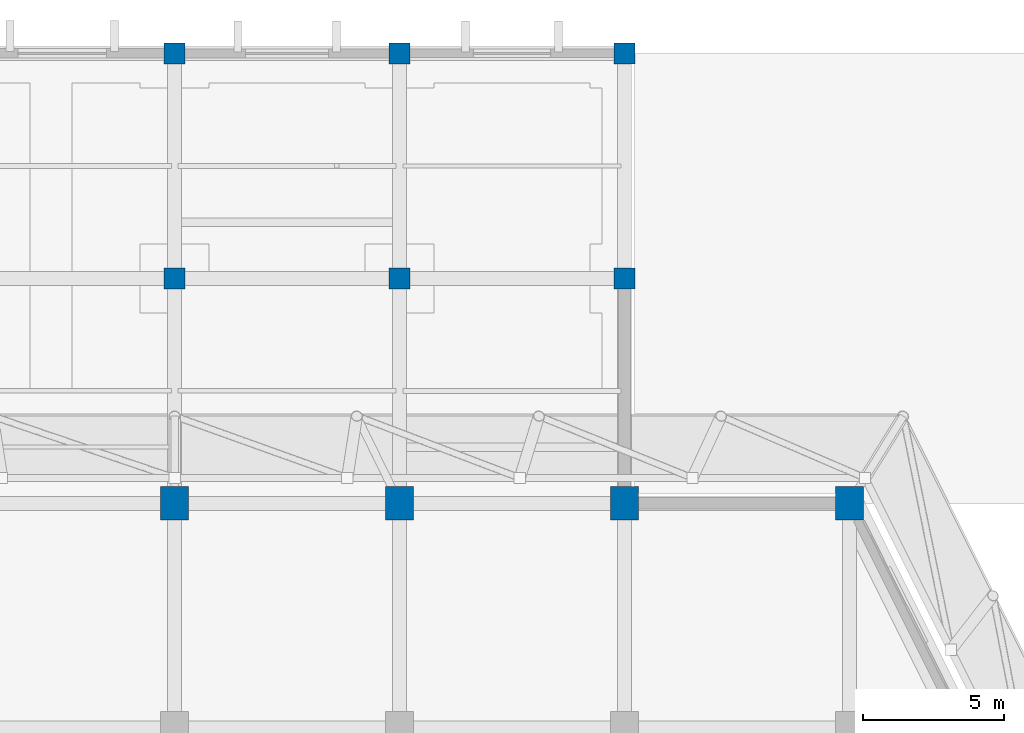
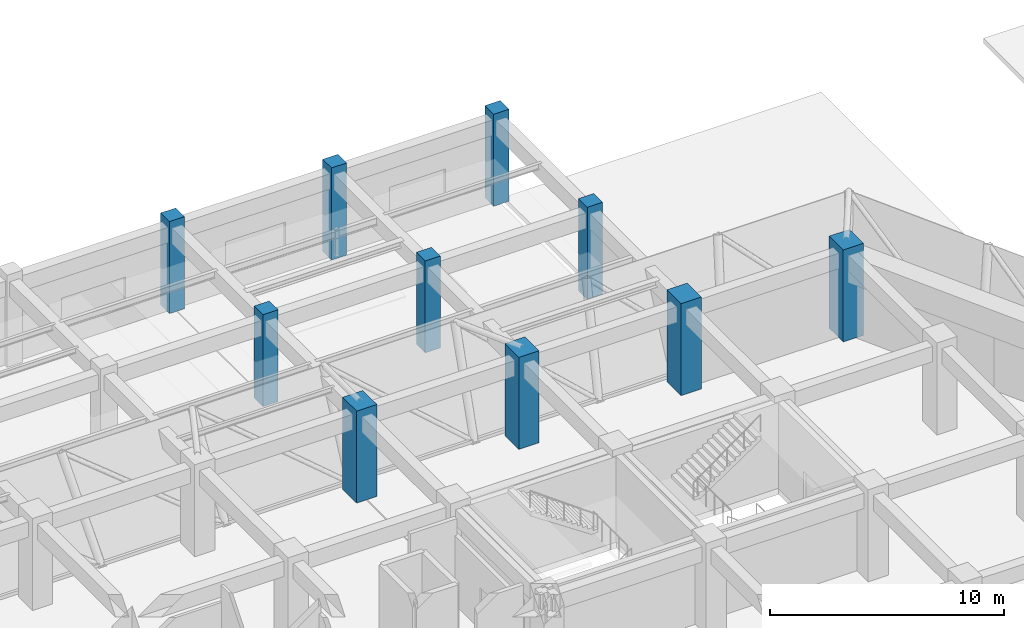
# One storey, part 5 of 46: 10 columns.
"""IFC4 building model written with IfcOpenShell, lengths in metres."""

from ifc_helpers import new_model, si_unit, direction, frame, origin, origin_2d, place, context, subcontext, project, spatial, rectangle, extrude, material, material_profile, profile_set, type_object, element, save


model = new_model("IFC4")

# Units and contexts
model_context = context("Model", 3, precision=1e-05, world=origin(), true_north=direction((0.0, 1.0)))
body_context = subcontext(model_context, "Body", "Model", "MODEL_VIEW")
ifc_project = project(units=[si_unit("LENGTHUNIT", "METRE"), si_unit("AREAUNIT", "SQUARE_METRE"), si_unit("VOLUMEUNIT", "CUBIC_METRE"), si_unit("PLANEANGLEUNIT", "RADIAN"), si_unit("MASSUNIT", "GRAM", prefix="KILO")], contexts=[model_context])

# Site, building, storey
site_placement = place(None, origin())
site = spatial("IfcSite", under=ifc_project, at=site_placement, CompositionType="ELEMENT")
building_placement = place(site_placement, origin())
building = spatial("IfcBuilding", under=site, at=building_placement, Name="Tazarka Park Arena", CompositionType="ELEMENT")
storey_placement = place(building_placement, frame((0.0, 0.0, 10.199951171875)))
storey = spatial("IfcBuildingStorey", under=building, at=storey_placement, Name="L02", CompositionType="ELEMENT", Elevation=10.199951171875)

# Columns
ifc_material_1 = material(Name="Concrete C40/50", Category="concrete")
ifc_material_profile_1 = material_profile(ifc_material_1, rectangle(XDim=0.75, YDim=0.75, at=origin_2d()), Name="Concrete C40/50")
ifc_profile_set_1 = profile_set([ifc_material_profile_1], Name="Concrete C40/50")
column_type_1 = type_object("IfcColumnType", Name="COL-C-02", PredefinedType="COLUMN", material=ifc_profile_set_1)
for number, where, z_axis, x_axis, name in (
    (1, (88.0, 120.0, 0.0), (0.0, 0.0, 1.0), (1.0, 0.0, 0.0), "CLM-L02-11-15"),
    (2, (96.0, 120.0, 0.0), (0.0, 0.0, 1.0), (1.0, 0.0, 0.0), "CLM-L02-12-15"),
):
    element("IfcColumn", number, at=place(storey_placement, frame(where, z_axis=z_axis, x_axis=x_axis)), inside=storey, type_object=column_type_1, Name=name, PredefinedType="COLUMN", context=body_context, shape_type="SweptSolid", body=[
        extrude(rectangle(XDim=0.75, YDim=0.75, at=origin_2d()), origin(), (0.0, 0.0, 1.0), 4.800048828125),
    ])
ifc_material_2 = material(Name="Concrete C50/60", Category="concrete")
ifc_material_profile_2 = material_profile(ifc_material_2, rectangle(XDim=1.0, YDim=1.199951171875, at=origin_2d()), Name="Concrete C50/60")
ifc_profile_set_2 = profile_set([ifc_material_profile_2], Name="Concrete C50/60")
column_type_2 = type_object("IfcColumnType", Name="COL-C-04", PredefinedType="COLUMN", material=ifc_profile_set_2)
for number, where, z_axis, x_axis, name in (
    (3, (88.0, 112.0, 0.0), (0.0, 0.0, 1.0), (1.0, 0.0, 0.0), "CLM-L02-11-14"),
    (4, (96.0, 112.0, 0.0), (0.0, 0.0, 1.0), (1.0, 0.0, 0.0), "CLM-L02-12-14"),
    (5, (104.0, 112.0, 0.0), (0.0, 0.0, 1.0), (1.0, 0.0, 0.0), "CLM-L02-13-14"),
):
    element("IfcColumn", number, at=place(storey_placement, frame(where, z_axis=z_axis, x_axis=x_axis)), inside=storey, type_object=column_type_2, Name=name, PredefinedType="COLUMN", context=body_context, shape_type="SweptSolid", body=[
        extrude(rectangle(XDim=1.0, YDim=1.199951171875, at=origin_2d()), origin(), (0.0, 0.0, 1.0), 4.800048828125),
    ])
ifc_material_3 = material(Name="Concrete C40/50", Category="concrete")
ifc_material_profile_3 = material_profile(ifc_material_3, rectangle(XDim=0.75, YDim=0.75, at=origin_2d()), Name="Concrete C40/50")
ifc_profile_set_3 = profile_set([ifc_material_profile_3], Name="Concrete C40/50")
column_type_3 = type_object("IfcColumnType", Name="COL-C-06", PredefinedType="COLUMN", material=ifc_profile_set_3)
for number, where, z_axis, x_axis, name in (
    (6, (88.0, 128.0, 0.0), (0.0, 0.0, 1.0), (1.0, 0.0, 0.0), "CLM-L02-11-16"),
    (7, (96.0, 128.0, 0.0), (0.0, 0.0, 1.0), (1.0, 0.0, 0.0), "CLM-L02-12-16"),
    (8, (104.0, 120.0, 0.0), (0.0, 0.0, 1.0), (1.0, 0.0, 0.0), "CLM-L02-13-15"),
    (9, (104.0, 128.0, 0.0), (0.0, 0.0, 1.0), (1.0, 0.0, 0.0), "CLM-L02-13-16"),
):
    element("IfcColumn", number, at=place(storey_placement, frame(where, z_axis=z_axis, x_axis=x_axis)), inside=storey, type_object=column_type_3, Name=name, PredefinedType="COLUMN", context=body_context, shape_type="SweptSolid", body=[
        extrude(rectangle(XDim=0.75, YDim=0.75, at=origin_2d()), origin(), (0.0, 0.0, 1.0), 4.800048828125),
    ])
ifc_material_4 = material(Name="Concrete C50/60", Category="concrete")
ifc_material_profile_4 = material_profile(ifc_material_4, rectangle(XDim=1.0, YDim=1.199951171875, at=origin_2d()), Name="Concrete C50/60")
ifc_profile_set_4 = profile_set([ifc_material_profile_4], Name="Concrete C50/60")
column_type_4 = type_object("IfcColumnType", Name="COL-C-07", PredefinedType="COLUMN", material=ifc_profile_set_4)
column_placement = place(storey_placement, frame((112.0, 112.0, 0.0), z_axis=(0.0, 0.0, 1.0), x_axis=(1.0, 0.0, 0.0)))
element("IfcColumn", 10, at=column_placement, inside=storey, type_object=column_type_4, Name="CLM-L02-14-14", PredefinedType="COLUMN", context=body_context, shape_type="SweptSolid", body=[
    extrude(rectangle(XDim=1.0, YDim=1.199951171875, at=origin_2d()), origin(), (0.0, 0.0, 1.0), 4.800048828125),
])

save(model, "model.ifc")
